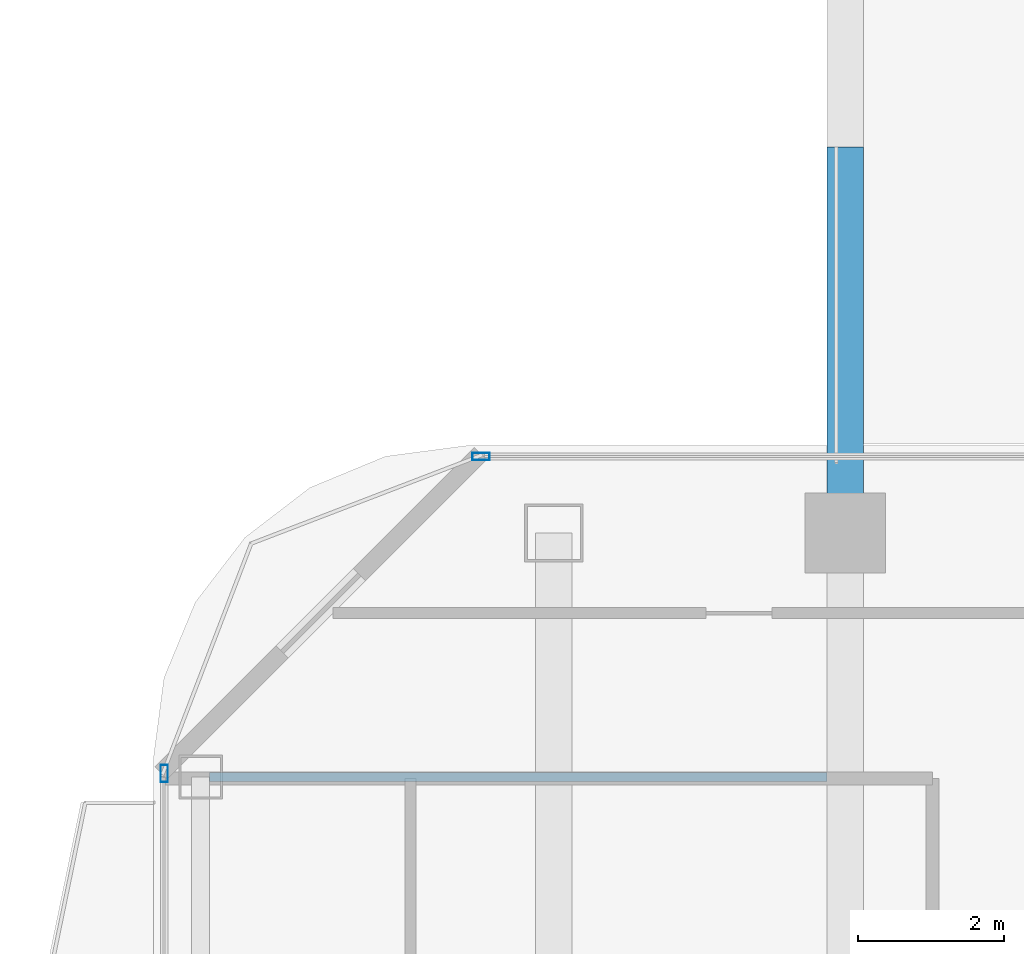
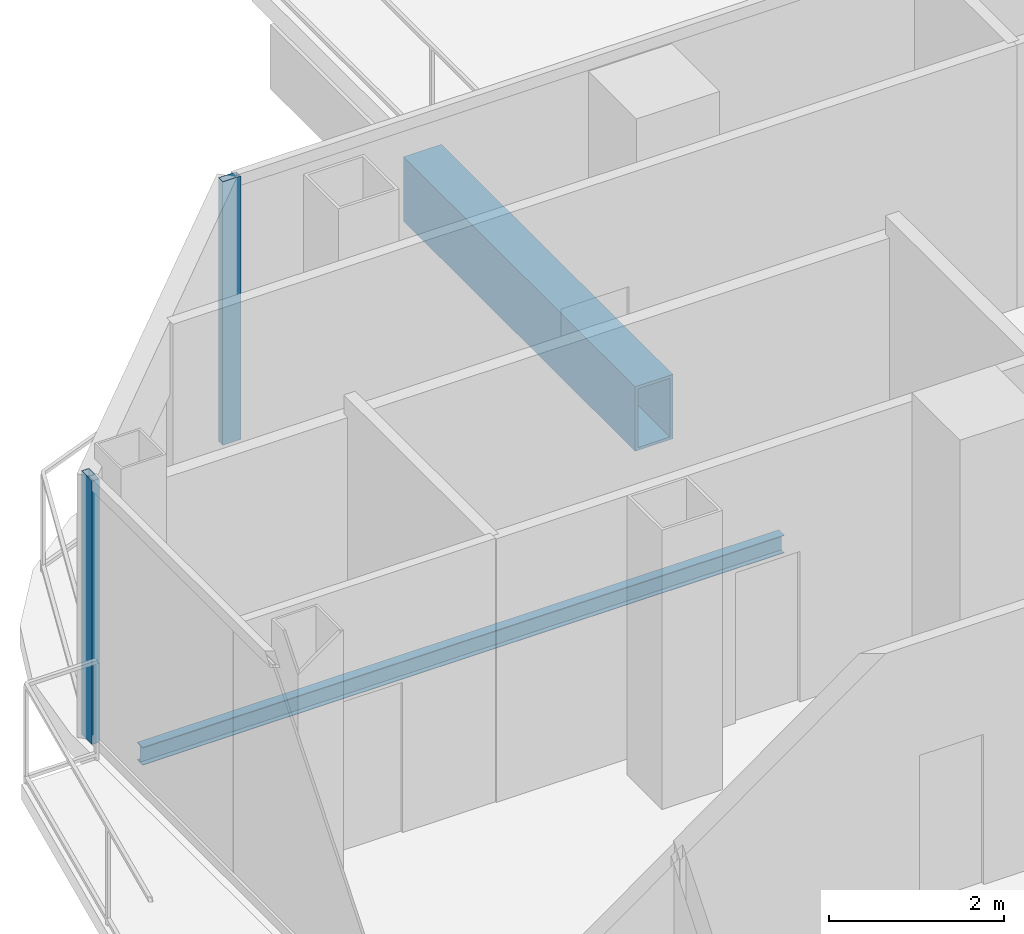
# One storey, part 11 of 24: 2 beams, 2 members, 2 elements without a shape of their own.
"""IFC4 building model written with IfcOpenShell, lengths in metres."""

import ifcopenshell
import ifcopenshell.guid

model = None  # the IFC model being written
_history = None  # IfcOwnerHistory: only IFC2X3 demands one
_inside = {}  # id of a spatial element -> (the spatial element, [elements in it])
_under = {}  # id of a project, library or spatial element -> (it, [spatial elements below it])
_declared = {}  # id of a project -> (the project, [libraries it declares])
_typed = {}  # id of a type object -> (the type object, [elements of that type])
_made_of = {}  # id of a material, layer set ... -> (it, [elements and type objects made of it])


def new_model(schema):
    """Start an empty IFC model of exactly this schema.

    Asked for "IFC4X3", IfcOpenShell would pick the latest addendum, in which some entities
    have other attributes; the version numbers below select the first issue.
    IFC2X3 requires an IfcOwnerHistory on every rooted entity: one is made here for all.
    """
    global model, _history
    if schema == "IFC4X3":
        model = ifcopenshell.file(schema_version=(4, 3, 0, 0))
    else:
        model = ifcopenshell.file(schema=schema)
    _inside.clear()
    _under.clear()
    _declared.clear()
    _typed.clear()
    _made_of.clear()
    _history = None
    if model.schema == "IFC2X3":
        org = make("IfcOrganization", Name="unknown")
        user = make(
            "IfcPersonAndOrganization",
            ThePerson=make("IfcPerson", FamilyName="unknown"),
            TheOrganization=org,
        )
        app = make(
            "IfcApplication",
            ApplicationDeveloper=org,
            Version="unknown",
            ApplicationFullName="unknown",
            ApplicationIdentifier="unknown",
        )
        _history = make(
            "IfcOwnerHistory",
            OwningUser=user,
            OwningApplication=app,
            ChangeAction="ADDED",
            CreationDate=0,
        )
    return model


def make(cls, **values):
    """One entity of the class cls with the attributes given. An attribute that is None is left unset."""
    return model.create_entity(
        cls, **{name: value for name, value in values.items() if value is not None}
    )


def rooted(cls, **values):
    """An entity with a GlobalId (a new one), such as an element, a storey or a relation."""
    return make(cls, GlobalId=ifcopenshell.guid.new(), OwnerHistory=_history, **values)


def si_unit(unit_type, name, prefix=None):
    """IfcSIUnit, for example si_unit("LENGTHUNIT", "METRE", prefix="MILLI")."""
    return make("IfcSIUnit", UnitType=unit_type, Prefix=prefix, Name=name)


def assignment(units):
    """IfcUnitAssignment: the units of a project."""
    return None if units is None else make("IfcUnitAssignment", Units=units)


def point(xyz):
    """IfcCartesianPoint."""
    return None if xyz is None else make("IfcCartesianPoint", Coordinates=xyz)


def direction(xyz):
    """IfcDirection."""
    return None if xyz is None else make("IfcDirection", DirectionRatios=xyz)


def frame(location, z_axis=None, x_axis=None):
    """IfcAxis2Placement3D, a coordinate frame: its origin and axes. An axis left out is left unset."""
    return make(
        "IfcAxis2Placement3D",
        Location=point(location),
        Axis=direction(z_axis),
        RefDirection=direction(x_axis),
    )


def frame_2d(location, x_axis=None):
    """IfcAxis2Placement2D, a coordinate frame in the plane: its origin and x axis."""
    return make(
        "IfcAxis2Placement2D", Location=point(location), RefDirection=direction(x_axis)
    )


def origin():
    """The frame at (0, 0, 0) with its axes left unset."""
    return frame((0.0, 0.0, 0.0))


def origin_2d():
    """The frame at (0, 0) in the plane with its x axis left unset."""
    return frame_2d((0.0, 0.0))


def place(relative_to, where):
    """IfcLocalPlacement: puts the frame where relative to a parent placement (None: the world)."""
    return make(
        "IfcLocalPlacement", PlacementRelTo=relative_to, RelativePlacement=where
    )


def context(
    kind, dimensions, precision=None, world=None, true_north=None, identifier=None
):
    """IfcGeometricRepresentationContext, for example the 3D "Model" context."""
    return make(
        "IfcGeometricRepresentationContext",
        ContextIdentifier=identifier,
        ContextType=kind,
        CoordinateSpaceDimension=dimensions,
        Precision=precision,
        WorldCoordinateSystem=world,
        TrueNorth=true_north,
    )


def subcontext(parent, identifier, kind, view, scale=None):
    """IfcGeometricRepresentationSubContext, for example "Body" below "Model"."""
    return make(
        "IfcGeometricRepresentationSubContext",
        ContextIdentifier=identifier,
        ContextType=kind,
        ParentContext=parent,
        TargetScale=scale,
        TargetView=view,
    )


def project(units=None, contexts=None):
    """IfcProject with its units and contexts."""
    return rooted(
        "IfcProject",
        Name="project",
        RepresentationContexts=contexts,
        UnitsInContext=assignment(units),
    )


def spatial(cls, under=None, at=None, **own):
    """A site, building, storey or space (cls), placed at a placement, below another one or the project."""
    s = rooted(cls, ObjectPlacement=at, **own)
    if under is not None:
        _under.setdefault(under.id(), (under, []))[1].append(s)
    return s


def profile(cls, at=None, kind="AREA", **sizes):
    """A parametric profile (cls). Its sizes go by their IFC names, for example OverallWidth=200.0."""
    return make(cls, ProfileType=kind, Position=at, **sizes)


def hollow_rectangle(**sizes):
    """IfcRectangleHollowProfileDef."""
    return profile("IfcRectangleHollowProfileDef", **sizes)


def i_section(**sizes):
    """IfcIShapeProfileDef."""
    return profile("IfcIShapeProfileDef", **sizes)


def extrude(swept, where, along, depth):
    """IfcExtrudedAreaSolid: the profile swept, set in the frame where, extruded along a direction by depth."""
    return make(
        "IfcExtrudedAreaSolid",
        SweptArea=swept,
        Position=where,
        ExtrudedDirection=direction(along),
        Depth=depth,
    )


def shape(context_of_items, identifier, shape_type, items):
    """IfcShapeRepresentation: the items that make up one representation, for example the "Body"."""
    return make(
        "IfcShapeRepresentation",
        ContextOfItems=context_of_items,
        RepresentationIdentifier=identifier,
        RepresentationType=shape_type,
        Items=items,
    )


def material(Name=None, Category=None):
    """IfcMaterial."""
    return make("IfcMaterial", Name=Name, Category=Category)


def layer(
    of_material, thickness, ventilated=None, Name=None, Category=None, Priority=None
):
    """IfcMaterialLayer: one layer of a wall or slab, of a material (None: an air gap)."""
    return make(
        "IfcMaterialLayer",
        Material=of_material,
        LayerThickness=thickness,
        IsVentilated=ventilated,
        Name=Name,
        Category=Category,
        Priority=Priority,
    )


def layer_set(layers, Name=None):
    """IfcMaterialLayerSet."""
    return make("IfcMaterialLayerSet", MaterialLayers=layers, LayerSetName=Name)


def material_profile(
    of_material, cross_section, Name=None, Category=None, Priority=None
):
    """IfcMaterialProfile: a cross section and its material."""
    return make(
        "IfcMaterialProfile",
        Name=Name,
        Material=of_material,
        Profile=cross_section,
        Priority=Priority,
        Category=Category,
    )


def profile_set(profiles, Name=None, composite=None):
    """IfcMaterialProfileSet."""
    return make(
        "IfcMaterialProfileSet",
        Name=Name,
        MaterialProfiles=profiles,
        CompositeProfile=composite,
    )


def made_of(thing, what):
    """Note that an element or type object is made of a material, layer set ...; save() writes the relation."""
    if what is not None:
        _made_of.setdefault(what.id(), (what, []))[1].append(thing)
    return thing


def type_object(cls, material=None, **own):
    """A type object (cls), such as IfcWallType, which elements share."""
    return made_of(rooted(cls, **own), material)


def element(
    cls,
    number,
    at=None,
    inside=None,
    cuts=None,
    type_object=None,
    material=None,
    context=None,
    identifier="Body",
    shape_type=None,
    held_by="IfcProductDefinitionShape",
    body=None,
    shapes=None,
    **own,
):
    """One element of the class cls, such as IfcWall. Its Tag is "e" and its number.

    at: its placement. inside: the storey or other place that contains it. cuts: it is an
    opening in that element (IfcRelVoidsElement). A single representation is given by context,
    identifier, shape_type and body (its items); several are given by shapes. held_by: the class
    of the entity that holds the representations. save() writes the other relations.
    """
    e = rooted(cls, Tag="e%d" % number, ObjectPlacement=at, **own)
    if body is not None:
        shapes = [shape(context, identifier, shape_type, body)]
    if shapes is not None:
        e.Representation = make(held_by, Representations=shapes)
    if inside is not None:
        _inside.setdefault(inside.id(), (inside, []))[1].append(e)
    if cuts is not None:
        rooted(
            "IfcRelVoidsElement", RelatingBuildingElement=cuts, RelatedOpeningElement=e
        )
    if type_object is not None:
        _typed.setdefault(type_object.id(), (type_object, []))[1].append(e)
    return made_of(e, material)


def aggregate(whole, parts):
    """IfcRelAggregates: a whole, such as a stair, and the parts it consists of."""
    return rooted("IfcRelAggregates", RelatingObject=whole, RelatedObjects=parts)


def save(model, path):
    """Write the relations noted so far, then the file.

    IfcRelAggregates (storeys below a building ...), IfcRelContainedInSpatialStructure (elements
    in a storey), IfcRelDefinesByType, IfcRelAssociatesMaterial and IfcRelDeclares: one each for
    every whole, place, type object, material and project.
    """
    for whole, parts in _under.values():
        aggregate(whole, parts)
    for where, things in _inside.values():
        rooted(
            "IfcRelContainedInSpatialStructure",
            RelatedElements=things,
            RelatingStructure=where,
        )
    for kind, things in _typed.values():
        rooted("IfcRelDefinesByType", RelatedObjects=things, RelatingType=kind)
    for what, things in _made_of.values():
        rooted("IfcRelAssociatesMaterial", RelatedObjects=things, RelatingMaterial=what)
    for by, libraries in _declared.values():
        rooted("IfcRelDeclares", RelatingContext=by, RelatedDefinitions=libraries)
    model.write(path)


model = new_model("IFC4")

# Units and contexts
model_context = context("Model", 3, precision=1e-05, world=origin(), true_north=direction((0.0, 1.0)))
body_context = subcontext(model_context, "Body", "Model", "MODEL_VIEW")
ifc_project = project(units=[si_unit("LENGTHUNIT", "METRE"), si_unit("AREAUNIT", "SQUARE_METRE"), si_unit("VOLUMEUNIT", "CUBIC_METRE"), si_unit("PLANEANGLEUNIT", "RADIAN"), si_unit("MASSUNIT", "GRAM", prefix="KILO")], contexts=[model_context])

# Site, building, storey
site_placement = place(None, origin())
site = spatial("IfcSite", under=ifc_project, at=site_placement, CompositionType="ELEMENT")
building_placement = place(site_placement, origin())
building = spatial("IfcBuilding", under=site, at=building_placement, Name="Khorvyn Point Tower", CompositionType="ELEMENT")
storey_placement = place(building_placement, frame((0.0, 0.0, 191.39990234375)))
storey = spatial("IfcBuildingStorey", under=building, at=storey_placement, Name="L47", CompositionType="ELEMENT", Elevation=191.39990234375)

# Curtain wall, member
ifc_material_1 = material(Name="Anodised aluminium 6063-T6 and laminated Low-E glass", Category="aluminium")
ifc_layer = layer(ifc_material_1, 0.18994140625)
ifc_layer_set = layer_set([ifc_layer], Name="Stick-Built Acoustic Curtain Wall CW-SYS-03")
curtain_wall_type = type_object("IfcCurtainWallType", Name="Stick-Built Acoustic Curtain Wall CW-SYS-03", PredefinedType="NOTDEFINED", material=ifc_layer_set)
curtain_wall_1_placement = place(storey_placement, origin())
curtain_wall_1 = element("IfcCurtainWall", 1, at=curtain_wall_1_placement, inside=storey, type_object=curtain_wall_type, Name="Curtain Wall", PredefinedType="NOTDEFINED")
ifc_material_2 = material(Name="Anodised aluminium 6063-T6", Category="aluminium")
ifc_material_profile_1 = material_profile(ifc_material_2, hollow_rectangle(XDim=0.10009765625, YDim=0.239990234375, WallThickness=0.0048828125, at=origin_2d()))
ifc_profile_set_1 = profile_set([ifc_material_profile_1], Name="Anodised aluminium 6063-T6 ALU-MUL-100x240")
member_type = type_object("IfcMemberType", Name="Anodised Aluminium 6063-T6 Mullion ALU-MUL-100x240", PredefinedType="MULLION", material=ifc_profile_set_1)
member_1_placement = place(storey_placement, frame((-19.800048828125, 15.85009765625, 0.0), z_axis=(0.0, 0.0, 1.0), x_axis=(0.0, 1.0, 0.0)))
member_1 = element("IfcMember", 2, at=member_1_placement, type_object=member_type, Name="Transom", PredefinedType="MULLION", context=body_context, shape_type="SweptSolid", body=[
    extrude(hollow_rectangle(XDim=0.10009765625, YDim=0.239990234375, WallThickness=0.0048828125, at=origin_2d()), origin(), (0.0, 0.0, 1.0), 3.68017578125),
])
aggregate(curtain_wall_1, [member_1])

curtain_wall_2_placement = place(storey_placement, origin())
curtain_wall_2 = element("IfcCurtainWall", 3, at=curtain_wall_2_placement, inside=storey, type_object=curtain_wall_type, Name="Curtain Wall", PredefinedType="NOTDEFINED")
member_2_placement = place(storey_placement, frame((-24.14990234375, 11.5, 0.0), z_axis=(0.0, 0.0, 1.0), x_axis=(-1.0, 0.0, 0.0)))
member_2 = element("IfcMember", 4, at=member_2_placement, type_object=member_type, Name="Transom", PredefinedType="MULLION", context=body_context, shape_type="SweptSolid", body=[
    extrude(hollow_rectangle(XDim=0.10009765625, YDim=0.239990234375, WallThickness=0.0048828125, at=origin_2d()), origin(), (0.0, 0.0, 1.0), 3.68017578125),
])
aggregate(curtain_wall_2, [member_2])

# Beams
ifc_material_3 = material(Name="Steel S355", Category="steel")
ifc_material_profile_2 = material_profile(ifc_material_3, i_section(OverallWidth=0.125, OverallDepth=0.25, WebThickness=0.006103515625, FlangeThickness=0.009033203125, at=origin_2d()))
ifc_profile_set_2 = profile_set([ifc_material_profile_2], Name="Steel S355 H250x125x6x9")
beam_type_1 = type_object("IfcBeamType", Name="Steel S355 Joist H250x125x6x9", PredefinedType="JOIST", material=ifc_profile_set_2)
beam_1_placement = place(storey_placement, frame((-23.52490234375, 11.449951171875, -0.40478515625), z_axis=(1.0, 0.0, 0.0), x_axis=(0.0, 1.0, 0.0)))
element("IfcBeam", 5, at=beam_1_placement, inside=storey, type_object=beam_type_1, Name="Beam", PredefinedType="JOIST", context=body_context, shape_type="SweptSolid", body=[
    extrude(i_section(OverallWidth=0.125, OverallDepth=0.25, WebThickness=0.006103515625, FlangeThickness=0.009033203125, at=origin_2d()), origin(), (0.0, 0.0, 1.0), 8.474853515625),
])
ifc_material_4 = material(Name="Steel S450", Category="steel")
ifc_material_profile_3 = material_profile(ifc_material_4, hollow_rectangle(XDim=0.5, YDim=0.89990234375, WallThickness=0.0400390625, at=origin_2d()))
ifc_profile_set_3 = profile_set([ifc_material_profile_3], Name="Steel S450 BOX900x500x40")
beam_type_2 = type_object("IfcBeamType", Name="Steel S450 Beam BOX900x500x40", PredefinedType="BEAM", material=ifc_profile_set_3)
beam_2_placement = place(storey_placement, frame((-14.800048828125, 14.800048828125, -0.72998046875), z_axis=(0.0, 1.0, 0.0), x_axis=(-1.0, 0.0, 0.0)))
element("IfcBeam", 6, at=beam_2_placement, inside=storey, type_object=beam_type_2, Name="L47 Radial Transfer Girder", PredefinedType="BEAM", context=body_context, shape_type="SweptSolid", body=[
    extrude(hollow_rectangle(XDim=0.5, YDim=0.89990234375, WallThickness=0.0400390625, at=origin_2d()), origin(), (0.0, 0.0, 1.0), 5.300048828125),
])

save(model, "model.ifc")
